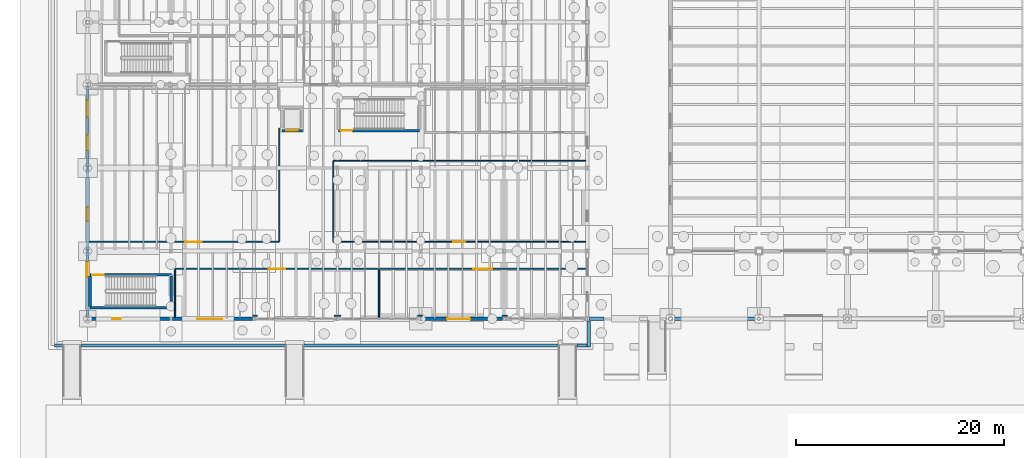
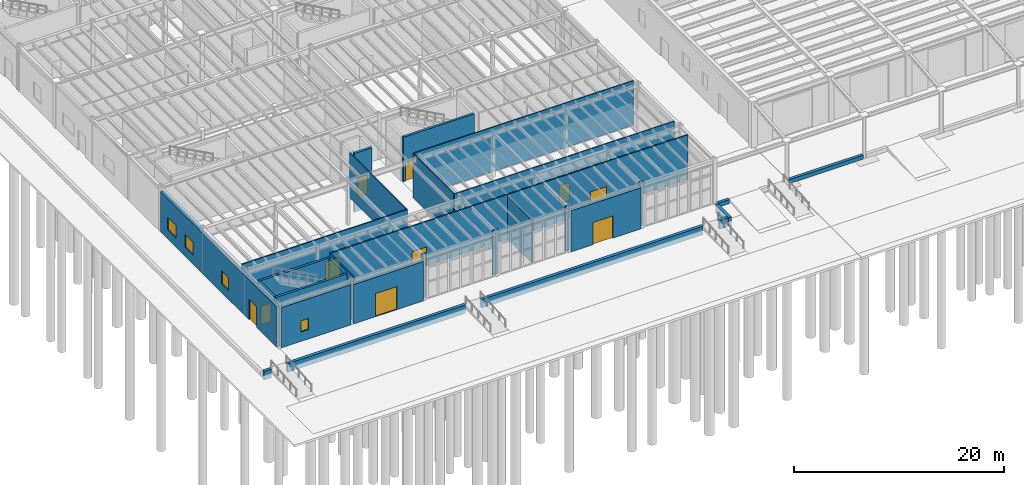
# One storey, part 58 of 86: 31 walls, 10 doors, 4 windows, 14 openings.
"""IFC4 building model written with IfcOpenShell, lengths in metres."""

from ifc_helpers import new_model, si_unit, direction, frame, frame_2d, origin, place, context, subcontext, project, spatial, rectangle, extrude, material, layer, layer_set, type_object, element, fill, save


model = new_model("IFC4")

# Units and contexts
model_context = context("Model", 3, precision=1e-05, world=origin(), true_north=direction((0.0, 1.0)))
body_context = subcontext(model_context, "Body", "Model", "MODEL_VIEW")
ifc_project = project(units=[si_unit("LENGTHUNIT", "METRE"), si_unit("AREAUNIT", "SQUARE_METRE"), si_unit("VOLUMEUNIT", "CUBIC_METRE"), si_unit("PLANEANGLEUNIT", "RADIAN"), si_unit("MASSUNIT", "GRAM", prefix="KILO"), si_unit("THERMODYNAMICTEMPERATUREUNIT", "KELVIN"), si_unit("POWERUNIT", "WATT")], contexts=[model_context])

# Site, building, storey
site_placement = place(None, origin())
site = spatial("IfcSite", under=ifc_project, at=site_placement, CompositionType="ELEMENT")
building_placement = place(site_placement, origin())
building = spatial("IfcBuilding", under=site, at=building_placement, Name="Zhenchuan Central Fire Station", CompositionType="ELEMENT")
storey_placement = place(building_placement, frame((0.0, 0.0, 0.449951171875)))
storey = spatial("IfcBuildingStorey", under=building, at=storey_placement, Name="L01", CompositionType="ELEMENT", Elevation=0.449951171875)

# Wall, opening, window
ifc_material_1 = material(Name="Sintered clay brick masonry MU15", Category="masonry")
ifc_layer_1 = layer(ifc_material_1, 0.300048828125, Name="Sintered clay brick masonry MU15", Category="masonry")
ifc_layer_set_1 = layer_set([ifc_layer_1], Name="Sintered clay brick masonry MU15")
wall_type_1 = type_object("IfcWallType", Name="EW-BRK300", PredefinedType="SOLIDWALL", material=ifc_layer_set_1)
wall_1_placement = place(storey_placement, frame((0.175048828125, 0.0, 0.0), z_axis=(0.0, 0.0, 1.0), x_axis=(1.0, 0.0, 0.0)))
wall_1 = element("IfcWall", 1, at=wall_1_placement, inside=storey, type_object=wall_type_1, Name="Gallery South-West Brick Wall", PredefinedType="SOLIDWALL", context=body_context, shape_type="SweptSolid", body=[
    extrude(rectangle(XDim=7.675048828125, YDim=0.300048828125, at=frame_2d((3.83740234375, 0.0))), origin(), (0.0, 0.0, 1.0), 4.694091796875),
])
opening_1_placement = place(wall_1_placement, frame((2.199951171875, 0.0, 1.10009765625)))
opening_1 = element("IfcOpeningElement", 2, at=opening_1_placement, cuts=wall_1, Name="Opening W-39", PredefinedType="OPENING", context=body_context, shape_type="SweptSolid", body=[
    extrude(rectangle(XDim=0.800048828125, YDim=1.300048828125, at=frame_2d((0.39990234375, 0.64990234375))), frame((0.0, 0.159912109375, 0.0), z_axis=(0.0, -1.0, 0.0), x_axis=(1.0, 0.0, 0.0)), (0.0, 0.0, 1.0), 0.320068359375),
])
ifc_material_2 = material(Name="Laminated low-E double glazing in aluminium frame", Category="aluminium")
window_type_1 = type_object("IfcWindowType", Name="WN-39", PartitioningType="SINGLE_PANEL", PredefinedType="WINDOW", material=ifc_material_2)
window_1_placement = place(opening_1_placement, origin())
window_1 = element("IfcWindow", 3, at=window_1_placement, inside=storey, type_object=window_type_1, Name="Exterior Window 0034", OverallHeight=1.300048828125, OverallWidth=0.800048828125, PartitioningType="SINGLE_PANEL", PredefinedType="WINDOW", context=body_context, shape_type="SweptSolid", body=[
    extrude(rectangle(XDim=0.800048828125, YDim=1.300048828125, at=frame_2d((0.39990234375, 0.64990234375))), frame((0.0, 0.030029296875, 0.0), z_axis=(0.0, -1.0, 0.0), x_axis=(1.0, 0.0, 0.0)), (0.0, 0.0, 1.0), 0.06005859375),
])
fill(opening_1, window_1)

# Wall, opening, door
wall_2_placement = place(storey_placement, frame((8.14990234375, 0.0, 0.0), z_axis=(0.0, 0.0, 1.0), x_axis=(1.0, 0.0, 0.0)))
wall_2 = element("IfcWall", 4, at=wall_2_placement, inside=storey, type_object=wall_type_1, Name="EW-L01-V5S-D0", PredefinedType="SOLIDWALL", context=body_context, shape_type="SweptSolid", body=[
    extrude(rectangle(XDim=7.7001953125, YDim=0.300048828125, at=frame_2d((3.85009765625, 0.0))), origin(), (0.0, 0.0, 1.0), 4.593994140625),
])
opening_2_placement = place(wall_2_placement, frame((2.39990234375, 0.0, 0.0)))
opening_2 = element("IfcOpeningElement", 5, at=opening_2_placement, cuts=wall_2, Name="Opening MN-001", PredefinedType="OPENING", context=body_context, shape_type="SweptSolid", body=[
    extrude(rectangle(XDim=2.39990234375, YDim=2.699951171875, at=frame_2d((1.199951171875, 1.35009765625))), frame((0.0, 0.159912109375, 0.0), z_axis=(0.0, -1.0, 0.0), x_axis=(1.0, 0.0, 0.0)), (0.0, 0.0, 1.0), 0.320068359375),
])
ifc_material_3 = material(Name="Thermally broken aluminium main entrance door", Category="aluminium")
door_type_1 = type_object("IfcDoorType", Name="ED-240x270", OperationType="NOTDEFINED", PredefinedType="DOOR", material=ifc_material_3)
door_1_placement = place(opening_2_placement, frame((2.39990234375, 0.0, 0.0), z_axis=(0.0, 0.0, 1.0), x_axis=(-1.0, 0.0, 0.0)))
door_1 = element("IfcDoor", 6, at=door_1_placement, inside=storey, type_object=door_type_1, Name="Public Safety Gallery Main Boulevard Entrance", OperationType="SINGLE_SWING_RIGHT", OverallHeight=2.699951171875, OverallWidth=2.39990234375, PredefinedType="DOOR", context=body_context, shape_type="SweptSolid", body=[
    extrude(rectangle(XDim=2.39990234375, YDim=2.699951171875, at=frame_2d((1.199951171875, 1.35009765625))), frame((0.0, 0.02490234375, 0.0), z_axis=(0.0, -1.0, 0.0), x_axis=(1.0, 0.0, 0.0)), (0.0, 0.0, 1.0), 0.050048828125),
])
fill(opening_2, door_1)

wall_3_placement = place(storey_placement, frame((32.14990234375, 0.0, 0.0), z_axis=(0.0, 0.0, 1.0), x_axis=(1.0, 0.0, 0.0)))
wall_3 = element("IfcWall", 7, at=wall_3_placement, inside=storey, type_object=wall_type_1, Name="EW-L01-V5S-D3", PredefinedType="SOLIDWALL", context=body_context, shape_type="SweptSolid", body=[
    extrude(rectangle(XDim=7.7001953125, YDim=0.300048828125, at=frame_2d((3.85009765625, 0.0))), origin(), (0.0, 0.0, 1.0), 4.7939453125),
])
opening_3_placement = place(wall_3_placement, frame((2.39990234375, 0.0, 0.0)))
opening_3 = element("IfcOpeningElement", 8, at=opening_3_placement, cuts=wall_3, Name="Opening MN-002", PredefinedType="OPENING", context=body_context, shape_type="SweptSolid", body=[
    extrude(rectangle(XDim=2.199951171875, YDim=2.60009765625, at=frame_2d((1.10009765625, 1.300048828125))), frame((0.0, 0.159912109375, 0.0), z_axis=(0.0, -1.0, 0.0), x_axis=(1.0, 0.0, 0.0)), (0.0, 0.0, 1.0), 0.320068359375),
])
ifc_material_4 = material(Name="Thermally broken aluminium foyer entrance door", Category="aluminium")
door_type_2 = type_object("IfcDoorType", Name="ED-220x260", OperationType="NOTDEFINED", PredefinedType="DOOR", material=ifc_material_4)
door_2_placement = place(opening_3_placement, frame((2.199951171875, 0.0, 0.0), z_axis=(0.0, 0.0, 1.0), x_axis=(-1.0, 0.0, 0.0)))
door_2 = element("IfcDoor", 9, at=door_2_placement, inside=storey, type_object=door_type_2, Name="Public Safety Gallery Main Boulevard Entrance", OperationType="SINGLE_SWING_LEFT", OverallHeight=2.60009765625, OverallWidth=2.199951171875, PredefinedType="DOOR", context=body_context, shape_type="SweptSolid", body=[
    extrude(rectangle(XDim=2.199951171875, YDim=2.60009765625, at=frame_2d((1.10009765625, 1.300048828125))), frame((0.0, 0.02490234375, 0.0), z_axis=(0.0, -1.0, 0.0), x_axis=(1.0, 0.0, 0.0)), (0.0, 0.0, 1.0), 0.050048828125),
])
fill(opening_3, door_2)

# Wall, openings, door, windows
wall_4_placement = place(storey_placement, frame((0.0, 0.175048828125, 0.0), z_axis=(0.0, 0.0, 1.0), x_axis=(0.0, 1.0, 0.0)))
wall_4 = element("IfcWall", 10, at=wall_4_placement, inside=storey, type_object=wall_type_1, Name="EW-L01-V5W", PredefinedType="SOLIDWALL", context=body_context, shape_type="SweptSolid", body=[
    extrude(rectangle(XDim=22.14990234375, YDim=0.300048828125, at=frame_2d((11.074951171875, 0.0))), origin(), (0.0, 0.0, 1.0), 4.694091796875),
])
opening_4_placement = place(wall_4_placement, frame((3.800048828125, 0.0, 0.0)))
opening_4 = element("IfcOpeningElement", 11, at=opening_4_placement, cuts=wall_4, Name="Opening EX-006", PredefinedType="OPENING", context=body_context, shape_type="SweptSolid", body=[
    extrude(rectangle(XDim=1.5, YDim=2.39990234375, at=frame_2d((0.75, 1.199951171875))), frame((0.0, 0.159912109375, 0.0), z_axis=(0.0, -1.0, 0.0), x_axis=(1.0, 0.0, 0.0)), (0.0, 0.0, 1.0), 0.320068359375),
])
opening_5_placement = place(wall_4_placement, frame((9.199951171875, 0.0, 1.050048828125)))
opening_5 = element("IfcOpeningElement", 12, at=opening_5_placement, cuts=wall_4, Name="Opening W-15", PredefinedType="OPENING", context=body_context, shape_type="SweptSolid", body=[
    extrude(rectangle(XDim=1.35009765625, YDim=1.5, at=frame_2d((0.675048828125, 0.75))), frame((0.0, 0.159912109375, 0.0), z_axis=(0.0, -1.0, 0.0), x_axis=(1.0, 0.0, 0.0)), (0.0, 0.0, 1.0), 0.320068359375),
])
opening_6_placement = place(wall_4_placement, frame((16.0, 0.0, 1.050048828125)))
opening_6 = element("IfcOpeningElement", 13, at=opening_6_placement, cuts=wall_4, Name="Opening W-16", PredefinedType="OPENING", context=body_context, shape_type="SweptSolid", body=[
    extrude(rectangle(XDim=1.5, YDim=1.5, at=frame_2d((0.75, 0.75))), frame((0.0, 0.159912109375, 0.0), z_axis=(0.0, -1.0, 0.0), x_axis=(1.0, 0.0, 0.0)), (0.0, 0.0, 1.0), 0.320068359375),
])
opening_7_placement = place(wall_4_placement, frame((19.199951171875, 0.0, 1.050048828125)))
opening_7 = element("IfcOpeningElement", 14, at=opening_7_placement, cuts=wall_4, Name="Opening W-17", PredefinedType="OPENING", context=body_context, shape_type="SweptSolid", body=[
    extrude(rectangle(XDim=1.64990234375, YDim=1.5, at=frame_2d((0.824951171875, 0.75))), frame((0.0, 0.159912109375, 0.0), z_axis=(0.0, -1.0, 0.0), x_axis=(1.0, 0.0, 0.0)), (0.0, 0.0, 1.0), 0.320068359375),
])
ifc_material_5 = material(Name="Powder-coated steel fire exit door", Category="steel")
door_type_3 = type_object("IfcDoorType", Name="ED-150x240", OperationType="NOTDEFINED", PredefinedType="DOOR", material=ifc_material_5)
door_3_placement = place(opening_4_placement, origin())
door_3 = element("IfcDoor", 15, at=door_3_placement, inside=storey, type_object=door_type_3, Name="Gallery West Promenade Exit", OperationType="SINGLE_SWING_LEFT", OverallHeight=2.39990234375, OverallWidth=1.5, PredefinedType="DOOR", context=body_context, shape_type="SweptSolid", body=[
    extrude(rectangle(XDim=1.5, YDim=2.39990234375, at=frame_2d((0.75, 1.199951171875))), frame((0.0, 0.02490234375, 0.0), z_axis=(0.0, -1.0, 0.0), x_axis=(1.0, 0.0, 0.0)), (0.0, 0.0, 1.0), 0.050048828125),
])
fill(opening_4, door_3)
window_type_2 = type_object("IfcWindowType", Name="WN-15", PartitioningType="SINGLE_PANEL", PredefinedType="WINDOW", material=ifc_material_2)
window_2_placement = place(opening_5_placement, origin())
window_2 = element("IfcWindow", 16, at=window_2_placement, inside=storey, type_object=window_type_2, Name="Exterior Window 0038", OverallHeight=1.5, OverallWidth=1.35009765625, PartitioningType="SINGLE_PANEL", PredefinedType="WINDOW", context=body_context, shape_type="SweptSolid", body=[
    extrude(rectangle(XDim=1.35009765625, YDim=1.5, at=frame_2d((0.675048828125, 0.75))), frame((0.0, 0.030029296875, 0.0), z_axis=(0.0, -1.0, 0.0), x_axis=(1.0, 0.0, 0.0)), (0.0, 0.0, 1.0), 0.06005859375),
])
fill(opening_5, window_2)
window_type_3 = type_object("IfcWindowType", Name="WN-16", PartitioningType="SINGLE_PANEL", PredefinedType="WINDOW", material=ifc_material_2)
window_3_placement = place(opening_6_placement, origin())
window_3 = element("IfcWindow", 17, at=window_3_placement, inside=storey, type_object=window_type_3, Name="Exterior Window 0039", OverallHeight=1.5, OverallWidth=1.5, PartitioningType="SINGLE_PANEL", PredefinedType="WINDOW", context=body_context, shape_type="SweptSolid", body=[
    extrude(rectangle(XDim=1.5, YDim=1.5, at=frame_2d((0.75, 0.75))), frame((0.0, 0.030029296875, 0.0), z_axis=(0.0, -1.0, 0.0), x_axis=(1.0, 0.0, 0.0)), (0.0, 0.0, 1.0), 0.06005859375),
])
fill(opening_6, window_3)
window_type_4 = type_object("IfcWindowType", Name="WN-17", PartitioningType="SINGLE_PANEL", PredefinedType="WINDOW", material=ifc_material_2)
window_4_placement = place(opening_7_placement, origin())
window_4 = element("IfcWindow", 18, at=window_4_placement, inside=storey, type_object=window_type_4, Name="Exterior Window 0040", OverallHeight=1.5, OverallWidth=1.64990234375, PartitioningType="SINGLE_PANEL", PredefinedType="WINDOW", context=body_context, shape_type="SweptSolid", body=[
    extrude(rectangle(XDim=1.64990234375, YDim=1.5, at=frame_2d((0.824951171875, 0.75))), frame((0.0, 0.030029296875, 0.0), z_axis=(0.0, -1.0, 0.0), x_axis=(1.0, 0.0, 0.0)), (0.0, 0.0, 1.0), 0.06005859375),
])
fill(opening_7, window_4)

# Walls
ifc_material_6 = material(Name="Concrete C35/45", Category="concrete")
ifc_layer_2 = layer(ifc_material_6, 0.320068359375, Name="Concrete C35/45", Category="concrete")
ifc_layer_set_2 = layer_set([ifc_layer_2], Name="Concrete C35/45")
wall_type_2 = type_object("IfcWallType", Name="EW-PLN320", PredefinedType="SOLIDWALL", material=ifc_layer_set_2)
wall_5_placement = place(storey_placement, frame((-3.199951171875, -2.56201171875, -1.0), z_axis=(0.0, 0.0, 1.0), x_axis=(1.0, 0.0, 0.0)))
element("IfcWall", 19, at=wall_5_placement, inside=storey, type_object=wall_type_2, Name="Plinth Perimeter Retaining Stem Wall SW-1", PredefinedType="SOLIDWALL", context=body_context, shape_type="SweptSolid", body=[
    extrude(rectangle(XDim=0.7958984375, YDim=0.320068359375, at=frame_2d((0.39794921875, 0.0))), origin(), (0.0, 0.0, 1.0), 1.0),
])
wall_6_placement = place(storey_placement, frame((-0.595947265625, -2.56201171875, -1.0), z_axis=(0.0, 0.0, 1.0), x_axis=(1.0, 0.0, 0.0)))
element("IfcWall", 20, at=wall_6_placement, inside=storey, type_object=wall_type_2, Name="Plinth Perimeter Retaining Stem Wall SW-2", PredefinedType="SOLIDWALL", context=body_context, shape_type="SweptSolid", body=[
    extrude(rectangle(XDim=19.592041015625, YDim=0.320068359375, at=frame_2d((9.7958984375, 0.0))), origin(), (0.0, 0.0, 1.0), 1.0),
])
wall_7_placement = place(storey_placement, frame((20.803955078125, -2.56201171875, -1.0), z_axis=(0.0, 0.0, 1.0), x_axis=(1.0, 0.0, 0.0)))
element("IfcWall", 21, at=wall_7_placement, inside=storey, type_object=wall_type_2, Name="Plinth Perimeter Retaining Stem Wall SW-3", PredefinedType="SOLIDWALL", context=body_context, shape_type="SweptSolid", body=[
    extrude(rectangle(XDim=24.39208984375, YDim=0.320068359375, at=frame_2d((12.196044921875, 0.0))), origin(), (0.0, 0.0, 1.0), 1.0),
])
wall_8_placement = place(storey_placement, frame((47.00390625, -2.56201171875, -1.0), z_axis=(0.0, 0.0, 1.0), x_axis=(1.0, 0.0, 0.0)))
element("IfcWall", 22, at=wall_8_placement, inside=storey, type_object=wall_type_2, Name="Plinth Perimeter Retaining Stem Wall SW-4", PredefinedType="SOLIDWALL", context=body_context, shape_type="SweptSolid", body=[
    extrude(rectangle(XDim=0.99609375, YDim=0.320068359375, at=frame_2d((0.498046875, 0.0))), origin(), (0.0, 0.0, 1.0), 1.0),
])
wall_9_placement = place(storey_placement, frame((48.162109375, -2.721923828125, -1.0), z_axis=(0.0, 0.0, 1.0), x_axis=(0.0, 1.0, 0.0)))
element("IfcWall", 23, at=wall_9_placement, inside=storey, type_object=wall_type_2, Name="Plinth Perimeter Retaining Stem Wall SW-RET", PredefinedType="SOLIDWALL", context=body_context, shape_type="SweptSolid", body=[
    extrude(rectangle(XDim=2.501953125, YDim=0.320068359375, at=frame_2d((1.2509765625, 0.0))), origin(), (0.0, 0.0, 1.0), 1.0),
])
wall_10_placement = place(storey_placement, frame((48.179931640625, 0.0, -0.449951171875), z_axis=(0.0, 0.0, 1.0), x_axis=(1.0, 0.0, 0.0)))
element("IfcWall", 24, at=wall_10_placement, inside=storey, type_object=wall_type_2, Name="Plinth Perimeter Retaining Stem Wall FC-01", PredefinedType="SOLIDWALL", context=body_context, shape_type="SweptSolid", body=[
    extrude(rectangle(XDim=1.416015625, YDim=0.320068359375, at=frame_2d((0.7080078125, 0.0))), origin(), (0.0, 0.0, 1.0), 0.449951171875),
])
wall_11_placement = place(storey_placement, frame((56.2099609375, 0.0, -0.449951171875), z_axis=(0.0, 0.0, 1.0), x_axis=(1.0, 0.0, 0.0)))
element("IfcWall", 25, at=wall_11_placement, inside=storey, type_object=wall_type_2, Name="Plinth Perimeter Retaining Stem Wall FC-03", PredefinedType="SOLIDWALL", context=body_context, shape_type="SweptSolid", body=[
    extrude(rectangle(XDim=8.1240234375, YDim=0.320068359375, at=frame_2d((4.06201171875, 0.0))), origin(), (0.0, 0.0, 1.0), 0.449951171875),
])

# Wall, opening, door
ifc_material_7 = material(Name="Gypsum plasterboard on steel studs", Category="gypsum")
ifc_layer_3 = layer(ifc_material_7, 0.10009765625, Name="Gypsum plasterboard on steel studs", Category="gypsum")
ifc_layer_set_3 = layer_set([ifc_layer_3], Name="Gypsum plasterboard on steel studs")
wall_type_3 = type_object("IfcWallType", Name="IW-GYP100", PredefinedType="PARTITIONING", material=ifc_layer_set_3)
wall_12_placement = place(storey_placement, frame((23.60009765625, 7.39990234375, 0.0), z_axis=(0.0, 0.0, 1.0), x_axis=(1.0, 0.0, 0.0)))
wall_12 = element("IfcWall", 26, at=wall_12_placement, inside=storey, type_object=wall_type_3, Name="Public Safety Seminar Classroom S Partition", PredefinedType="PARTITIONING", context=body_context, shape_type="SweptSolid", body=[
    extrude(rectangle(XDim=24.246826171875, YDim=0.10009765625, at=frame_2d((12.12353515625, 0.0))), origin(), (0.0, 0.0, 1.0), 5.199951171875),
])
opening_8_placement = place(wall_12_placement, frame((11.548583984375, 0.0, 0.0)))
opening_8 = element("IfcOpeningElement", 27, at=opening_8_placement, cuts=wall_12, Name="Opening D-069", PredefinedType="OPENING", context=body_context, shape_type="SweptSolid", body=[
    extrude(rectangle(XDim=1.14990234375, YDim=2.10009765625, at=frame_2d((0.574951171875, 1.050048828125))), frame((0.0, 0.06005859375, 0.0), z_axis=(0.0, -1.0, 0.0), x_axis=(1.0, 0.0, 0.0)), (0.0, 0.0, 1.0), 0.1201171875),
])
ifc_material_8 = material(Name="Glazed vision-panel classroom door")
door_type_4 = type_object("IfcDoorType", Name="ID-CLS-115x210", OperationType="NOTDEFINED", PredefinedType="DOOR", material=ifc_material_8)
door_4_placement = place(opening_8_placement, origin())
door_4 = element("IfcDoor", 28, at=door_4_placement, inside=storey, type_object=door_type_4, Name="Public Safety Seminar Classroom Door", OperationType="SINGLE_SWING_LEFT", OverallHeight=2.10009765625, OverallWidth=1.14990234375, PredefinedType="DOOR", context=body_context, shape_type="SweptSolid", body=[
    extrude(rectangle(XDim=1.14990234375, YDim=2.10009765625, at=frame_2d((0.574951171875, 1.050048828125))), frame((0.0, 0.02490234375, 0.0), z_axis=(0.0, -1.0, 0.0), x_axis=(1.0, 0.0, 0.0)), (0.0, 0.0, 1.0), 0.050048828125),
])
fill(opening_8, door_4)

# Walls
wall_13_placement = place(storey_placement, frame((23.60009765625, 15.199951171875, 0.0), z_axis=(0.0, 0.0, 1.0), x_axis=(1.0, 0.0, 0.0)))
element("IfcWall", 29, at=wall_13_placement, inside=storey, type_object=wall_type_3, Name="Public Safety Seminar Classroom N Partition", PredefinedType="PARTITIONING", context=body_context, shape_type="SweptSolid", body=[
    extrude(rectangle(XDim=24.246826171875, YDim=0.10009765625, at=frame_2d((12.12353515625, 0.0))), origin(), (0.0, 0.0, 1.0), 5.199951171875),
])
wall_14_placement = place(storey_placement, frame((23.60009765625, 7.452880859375, 0.0), z_axis=(0.0, 0.0, 1.0), x_axis=(0.0, 1.0, 0.0)))
element("IfcWall", 30, at=wall_14_placement, inside=storey, type_object=wall_type_3, Name="Public Safety Seminar Classroom W Partition", PredefinedType="PARTITIONING", context=body_context, shape_type="SweptSolid", body=[
    extrude(rectangle(XDim=7.694091796875, YDim=0.10009765625, at=frame_2d((3.84716796875, 0.0))), origin(), (0.0, 0.0, 1.0), 5.199951171875),
])
ifc_layer_4 = layer(ifc_material_7, 0.1201171875, Name="Gypsum plasterboard on steel studs", Category="gypsum")
ifc_layer_set_4 = layer_set([ifc_layer_4], Name="Gypsum plasterboard on steel studs")
wall_type_4 = type_object("IfcWallType", Name="IW-GYP120", PredefinedType="PARTITIONING", material=ifc_layer_set_4)
wall_15_placement = place(storey_placement, frame((15.85302734375, 0.300048828125, 0.0), z_axis=(0.0, 0.0, 1.0), x_axis=(1.0, 0.0, 0.0)))
element("IfcWall", 31, at=wall_15_placement, inside=storey, type_object=wall_type_4, Name="Public Fire-Safety Exhibition Gallery S Partition 1", PredefinedType="PARTITIONING", context=body_context, shape_type="SweptSolid", body=[
    extrude(rectangle(XDim=0.444091796875, YDim=0.1201171875, at=frame_2d((0.22216796875, 0.0))), origin(), (0.0, 0.0, 1.0), 5.199951171875),
])
wall_16_placement = place(storey_placement, frame((23.702880859375, 0.300048828125, 0.0), z_axis=(0.0, 0.0, 1.0), x_axis=(1.0, 0.0, 0.0)))
element("IfcWall", 32, at=wall_16_placement, inside=storey, type_object=wall_type_4, Name="Public Fire-Safety Exhibition Gallery S Partition 2", PredefinedType="PARTITIONING", context=body_context, shape_type="SweptSolid", body=[
    extrude(rectangle(XDim=0.59423828125, YDim=0.1201171875, at=frame_2d((0.297119140625, 0.0))), origin(), (0.0, 0.0, 1.0), 5.199951171875),
])

# Wall, opening, door
wall_17_placement = place(storey_placement, frame((8.39990234375, 4.800048828125, 0.0), z_axis=(0.0, 0.0, 1.0), x_axis=(1.0, 0.0, 0.0)))
wall_17 = element("IfcWall", 33, at=wall_17_placement, inside=storey, type_object=wall_type_4, Name="Public Fire-Safety Exhibition Gallery N Partition", PredefinedType="PARTITIONING", context=body_context, shape_type="SweptSolid", body=[
    extrude(rectangle(XDim=19.60009765625, YDim=0.1201171875, at=frame_2d((9.800048828125, 0.0))), origin(), (0.0, 0.0, 1.0), 5.199951171875),
])
opening_9_placement = place(wall_17_placement, frame((9.0, 0.0, 0.0)))
opening_9 = element("IfcOpeningElement", 34, at=opening_9_placement, cuts=wall_17, Name="Opening D-066", PredefinedType="OPENING", context=body_context, shape_type="SweptSolid", body=[
    extrude(rectangle(XDim=1.60009765625, YDim=2.199951171875, at=frame_2d((0.800048828125, 1.10009765625))), frame((0.0, 0.070068359375, 0.0), z_axis=(0.0, -1.0, 0.0), x_axis=(1.0, 0.0, 0.0)), (0.0, 0.0, 1.0), 0.14013671875),
])
ifc_material_9 = material(Name="Glazed timber double corridor fire door", Category="wood")
door_type_5 = type_object("IfcDoorType", Name="ID-COR-160x220", OperationType="NOTDEFINED", PredefinedType="DOOR", material=ifc_material_9)
door_5_placement = place(opening_9_placement, origin())
door_5 = element("IfcDoor", 35, at=door_5_placement, inside=storey, type_object=door_type_5, Name="Public Fire-Safety Exhibition Gallery Door", OperationType="SINGLE_SWING_RIGHT", OverallHeight=2.199951171875, OverallWidth=1.60009765625, PredefinedType="DOOR", context=body_context, shape_type="SweptSolid", body=[
    extrude(rectangle(XDim=1.60009765625, YDim=2.199951171875, at=frame_2d((0.800048828125, 1.10009765625))), frame((0.0, 0.02490234375, 0.0), z_axis=(0.0, -1.0, 0.0), x_axis=(1.0, 0.0, 0.0)), (0.0, 0.0, 1.0), 0.050048828125),
])
fill(opening_9, door_5)

# Walls
wall_18_placement = place(storey_placement, frame((8.39990234375, 0.153076171875, 0.0), z_axis=(0.0, 0.0, 1.0), x_axis=(0.0, 1.0, 0.0)))
element("IfcWall", 36, at=wall_18_placement, inside=storey, type_object=wall_type_4, Name="Public Fire-Safety Exhibition Gallery W Partition", PredefinedType="PARTITIONING", context=body_context, shape_type="SweptSolid", body=[
    extrude(rectangle(XDim=4.583984375, YDim=0.1201171875, at=frame_2d((2.2919921875, 0.0))), origin(), (0.0, 0.0, 1.0), 5.199951171875),
])
wall_19_placement = place(storey_placement, frame((28.0, 0.0830078125, 0.0), z_axis=(0.0, 0.0, 1.0), x_axis=(0.0, 1.0, 0.0)))
element("IfcWall", 37, at=wall_19_placement, inside=storey, type_object=wall_type_4, Name="Public Fire-Safety Exhibition Gallery E Partition", PredefinedType="PARTITIONING", context=body_context, shape_type="SweptSolid", body=[
    extrude(rectangle(XDim=4.654052734375, YDim=0.1201171875, at=frame_2d((2.3271484375, 0.0))), origin(), (0.0, 0.0, 1.0), 4.994140625),
])
for number, where, z_axis, x_axis, name in (
    (38, (31.702880859375, 0.300048828125, 0.0), (0.0, 0.0, 1.0), (1.0, 0.0, 0.0), "Community Safety Cafe S Partition 1"),
    (39, (39.85302734375, 0.300048828125, 0.0), (0.0, 0.0, 1.0), (1.0, 0.0, 0.0), "Community Safety Cafe S Partition 2"),
):
    element("IfcWall", number, at=place(storey_placement, frame(where, z_axis=z_axis, x_axis=x_axis)), inside=storey, type_object=wall_type_4, Name=name, PredefinedType="PARTITIONING", context=body_context, shape_type="SweptSolid", body=[
        extrude(rectangle(XDim=0.444091796875, YDim=0.1201171875, at=frame_2d((0.22216796875, 0.0))), origin(), (0.0, 0.0, 1.0), 5.199951171875),
    ])

# Wall, opening, door
wall_20_placement = place(storey_placement, frame((28.06298828125, 4.800048828125, 0.0), z_axis=(0.0, 0.0, 1.0), x_axis=(1.0, 0.0, 0.0)))
wall_20 = element("IfcWall", 40, at=wall_20_placement, inside=storey, type_object=wall_type_4, Name="Community Safety Cafe N Partition", PredefinedType="PARTITIONING", context=body_context, shape_type="SweptSolid", body=[
    extrude(rectangle(XDim=19.783935546875, YDim=0.1201171875, at=frame_2d((9.89208984375, 0.0))), origin(), (0.0, 0.0, 1.0), 5.199951171875),
])
opening_10_placement = place(wall_20_placement, frame((8.991943359375, 0.0, 0.0)))
opening_10 = element("IfcOpeningElement", 41, at=opening_10_placement, cuts=wall_20, Name="Opening D-067", PredefinedType="OPENING", context=body_context, shape_type="SweptSolid", body=[
    extrude(rectangle(XDim=1.800048828125, YDim=2.300048828125, at=frame_2d((0.89990234375, 1.14990234375))), frame((0.0, 0.070068359375, 0.0), z_axis=(0.0, -1.0, 0.0), x_axis=(1.0, 0.0, 0.0)), (0.0, 0.0, 1.0), 0.14013671875),
])
ifc_material_10 = material(Name="Acoustic timber double assembly door", Category="wood")
door_type_6 = type_object("IfcDoorType", Name="ID-LEC-180x230", OperationType="NOTDEFINED", PredefinedType="DOOR", material=ifc_material_10)
door_6_placement = place(opening_10_placement, origin())
door_6 = element("IfcDoor", 42, at=door_6_placement, inside=storey, type_object=door_type_6, Name="Community Safety Cafe Door", OperationType="SINGLE_SWING_LEFT", OverallHeight=2.300048828125, OverallWidth=1.800048828125, PredefinedType="DOOR", context=body_context, shape_type="SweptSolid", body=[
    extrude(rectangle(XDim=1.800048828125, YDim=2.300048828125, at=frame_2d((0.89990234375, 1.14990234375))), frame((0.0, 0.02490234375, 0.0), z_axis=(0.0, -1.0, 0.0), x_axis=(1.0, 0.0, 0.0)), (0.0, 0.0, 1.0), 0.050048828125),
])
fill(opening_10, door_6)

wall_21_placement = place(storey_placement, frame((0.153076171875, 7.39990234375, 0.0), z_axis=(0.0, 0.0, 1.0), x_axis=(1.0, 0.0, 0.0)))
wall_21 = element("IfcWall", 43, at=wall_21_placement, inside=storey, type_object=wall_type_4, Name="Raked Lecture Theatre S Partition", PredefinedType="PARTITIONING", context=body_context, shape_type="SweptSolid", body=[
    extrude(rectangle(XDim=18.246826171875, YDim=0.1201171875, at=frame_2d((9.12353515625, 0.0))), origin(), (0.0, 0.0, 1.0), 5.199951171875),
])
opening_11_placement = place(wall_21_placement, frame((9.223388671875, 0.0, 0.0)))
opening_11 = element("IfcOpeningElement", 44, at=opening_11_placement, cuts=wall_21, Name="Opening D-068", PredefinedType="OPENING", context=body_context, shape_type="SweptSolid", body=[
    extrude(rectangle(XDim=1.60009765625, YDim=2.199951171875, at=frame_2d((0.800048828125, 1.10009765625))), frame((0.0, 0.070068359375, 0.0), z_axis=(0.0, -1.0, 0.0), x_axis=(1.0, 0.0, 0.0)), (0.0, 0.0, 1.0), 0.14013671875),
])
door_7_placement = place(opening_11_placement, origin())
door_7 = element("IfcDoor", 45, at=door_7_placement, inside=storey, type_object=door_type_5, Name="Raked Lecture Theatre Door", OperationType="SINGLE_SWING_RIGHT", OverallHeight=2.199951171875, OverallWidth=1.60009765625, PredefinedType="DOOR", context=body_context, shape_type="SweptSolid", body=[
    extrude(rectangle(XDim=1.60009765625, YDim=2.199951171875, at=frame_2d((0.800048828125, 1.10009765625))), frame((0.0, 0.02490234375, 0.0), z_axis=(0.0, -1.0, 0.0), x_axis=(1.0, 0.0, 0.0)), (0.0, 0.0, 1.0), 0.050048828125),
])
fill(opening_11, door_7)

# Walls
wall_22_placement = place(storey_placement, frame((18.39990234375, 7.462890625, 0.0), z_axis=(0.0, 0.0, 1.0), x_axis=(0.0, 1.0, 0.0)))
element("IfcWall", 46, at=wall_22_placement, inside=storey, type_object=wall_type_4, Name="Raked Lecture Theatre E Partition 1", PredefinedType="PARTITIONING", context=body_context, shape_type="SweptSolid", body=[
    extrude(rectangle(XDim=10.859130859375, YDim=0.1201171875, at=frame_2d((5.4296875, 0.0))), origin(), (0.0, 0.0, 1.0), 5.199951171875),
])
ifc_material_11 = material(Name="Concrete C40/50", Category="concrete")
ifc_layer_5 = layer(ifc_material_11, 0.25, Name="Concrete C40/50", Category="concrete")
ifc_layer_set_5 = layer_set([ifc_layer_5], Name="Concrete C40/50")
wall_type_5 = type_object("IfcWallType", Name="IW-SHR250", PredefinedType="SHEAR", material=ifc_layer_set_5)
wall_23_placement = place(storey_placement, frame((0.22509765625, 1.074951171875, 0.0), z_axis=(0.0, 0.0, 1.0), x_axis=(1.0, 0.0, 0.0)))
element("IfcWall", 47, at=wall_23_placement, inside=storey, type_object=wall_type_5, Name="ST-01 L01 South Core Wall", PredefinedType="SHEAR", context=body_context, shape_type="SweptSolid", body=[
    extrude(rectangle(XDim=7.809814453125, YDim=0.25, at=frame_2d((3.90478515625, 0.0))), origin(), (0.0, 0.0, 1.0), 5.199951171875),
])

# Wall, opening, door
wall_24_placement = place(storey_placement, frame((0.22509765625, 4.22509765625, 0.0), z_axis=(0.0, 0.0, 1.0), x_axis=(1.0, 0.0, 0.0)))
wall_24 = element("IfcWall", 48, at=wall_24_placement, inside=storey, type_object=wall_type_5, Name="ST-01 L01 North Core Wall", PredefinedType="SHEAR", context=body_context, shape_type="SweptSolid", body=[
    extrude(rectangle(XDim=7.809814453125, YDim=0.25, at=frame_2d((3.90478515625, 0.0))), origin(), (0.0, 0.0, 1.0), 5.199951171875),
])
opening_12_placement = place(wall_24_placement, frame((0.219970703125, 0.0, 0.0)))
opening_12 = element("IfcOpeningElement", 49, at=opening_12_placement, cuts=wall_24, Name="Opening D-001", PredefinedType="OPENING", context=body_context, shape_type="SweptSolid", body=[
    extrude(rectangle(XDim=1.10009765625, YDim=2.14990234375, at=frame_2d((0.550048828125, 1.074951171875))), frame((0.0, 0.135009765625, 0.0), z_axis=(0.0, -1.0, 0.0), x_axis=(1.0, 0.0, 0.0)), (0.0, 0.0, 1.0), 0.27001953125),
])
ifc_material_12 = material(Name="Painted steel acoustic fire door", Category="steel")
door_type_7 = type_object("IfcDoorType", Name="ID-ST-110x215", OperationType="NOTDEFINED", PredefinedType="DOOR", material=ifc_material_12)
door_8_placement = place(opening_12_placement, origin())
door_8 = element("IfcDoor", 50, at=door_8_placement, inside=storey, type_object=door_type_7, Name="ST-01 L01 Fire Door", OperationType="SINGLE_SWING_LEFT", OverallHeight=2.14990234375, OverallWidth=1.10009765625, PredefinedType="DOOR", context=body_context, shape_type="SweptSolid", body=[
    extrude(rectangle(XDim=1.10009765625, YDim=2.14990234375, at=frame_2d((0.550048828125, 1.074951171875))), frame((0.0, 0.02490234375, 0.0), z_axis=(0.0, -1.0, 0.0), x_axis=(1.0, 0.0, 0.0)), (0.0, 0.0, 1.0), 0.050048828125),
])
fill(opening_12, door_8)

# Walls
for number, where, z_axis, x_axis, name in (
    (51, (0.22509765625, 1.199951171875, 0.0), (0.0, 0.0, 1.0), (0.0, 1.0, 0.0), "ST-01 L01 West Core Wall"),
    (52, (8.034912109375, 1.199951171875, 0.0), (0.0, 0.0, 1.0), (0.0, 1.0, 0.0), "ST-01 L01 East Core Wall"),
):
    element("IfcWall", number, at=place(storey_placement, frame(where, z_axis=z_axis, x_axis=x_axis)), inside=storey, type_object=wall_type_5, Name=name, PredefinedType="SHEAR", context=body_context, shape_type="SweptSolid", body=[
        extrude(rectangle(XDim=2.900146484375, YDim=0.25, at=frame_2d((1.4501953125, 0.0))), origin(), (0.0, 0.0, 1.0), 5.199951171875),
    ])

# Wall, opening, door
wall_25_placement = place(storey_placement, frame((24.094970703125, 18.074951171875, 0.0), z_axis=(0.0, 0.0, 1.0), x_axis=(1.0, 0.0, 0.0)))
wall_25 = element("IfcWall", 53, at=wall_25_placement, inside=storey, type_object=wall_type_5, Name="ST-02 L01 South Core Wall", PredefinedType="SHEAR", context=body_context, shape_type="SweptSolid", body=[
    extrude(rectangle(XDim=7.81005859375, YDim=0.25, at=frame_2d((3.905029296875, 0.0))), origin(), (0.0, 0.0, 1.0), 5.199951171875),
])
opening_13_placement = place(wall_25_placement, frame((0.219970703125, 0.0, 0.0)))
opening_13 = element("IfcOpeningElement", 54, at=opening_13_placement, cuts=wall_25, Name="Opening D-003", PredefinedType="OPENING", context=body_context, shape_type="SweptSolid", body=[
    extrude(rectangle(XDim=1.10009765625, YDim=2.14990234375, at=frame_2d((0.550048828125, 1.074951171875))), frame((0.0, 0.135009765625, 0.0), z_axis=(0.0, -1.0, 0.0), x_axis=(1.0, 0.0, 0.0)), (0.0, 0.0, 1.0), 0.27001953125),
])
door_9_placement = place(opening_13_placement, frame((1.10009765625, 0.0, 0.0), z_axis=(0.0, 0.0, 1.0), x_axis=(-1.0, 0.0, 0.0)))
door_9 = element("IfcDoor", 55, at=door_9_placement, inside=storey, type_object=door_type_7, Name="ST-02 L01 Fire Door", OperationType="SINGLE_SWING_LEFT", OverallHeight=2.14990234375, OverallWidth=1.10009765625, PredefinedType="DOOR", context=body_context, shape_type="SweptSolid", body=[
    extrude(rectangle(XDim=1.10009765625, YDim=2.14990234375, at=frame_2d((0.550048828125, 1.074951171875))), frame((0.0, 0.02490234375, 0.0), z_axis=(0.0, -1.0, 0.0), x_axis=(1.0, 0.0, 0.0)), (0.0, 0.0, 1.0), 0.050048828125),
])
fill(opening_13, door_9)

# Wall
wall_26_placement = place(storey_placement, frame((18.675048828125, 18.074951171875, -1.64990234375), z_axis=(0.0, 0.0, 1.0), x_axis=(1.0, 0.0, 0.0)))
element("IfcWall", 56, at=wall_26_placement, inside=storey, type_object=wall_type_5, Name="Lift LP-04 Pit South Wall", PredefinedType="SHEAR", context=body_context, shape_type="SweptSolid", body=[
    extrude(rectangle(XDim=1.949951171875, YDim=0.25, at=frame_2d((0.97509765625, 0.0))), origin(), (0.0, 0.0, 1.0), 1.64990234375),
])

# Wall, opening, door
wall_27_placement = place(storey_placement, frame((18.675048828125, 18.074951171875, 0.0), z_axis=(0.0, 0.0, 1.0), x_axis=(1.0, 0.0, 0.0)))
wall_27 = element("IfcWall", 57, at=wall_27_placement, inside=storey, type_object=wall_type_5, Name="Lift LP-04 L01 South Shaft Wall", PredefinedType="SHEAR", context=body_context, shape_type="SweptSolid", body=[
    extrude(rectangle(XDim=1.949951171875, YDim=0.25, at=frame_2d((0.97509765625, 0.0))), origin(), (0.0, 0.0, 1.0), 5.199951171875),
])
opening_14_placement = place(wall_27_placement, frame((0.425048828125, 0.0, 0.0)))
opening_14 = element("IfcOpeningElement", 58, at=opening_14_placement, cuts=wall_27, Name="Opening LD-018", PredefinedType="OPENING", context=body_context, shape_type="SweptSolid", body=[
    extrude(rectangle(XDim=1.10009765625, YDim=2.14990234375, at=frame_2d((0.550048828125, 1.074951171875))), frame((0.0, 0.135009765625, 0.0), z_axis=(0.0, -1.0, 0.0), x_axis=(1.0, 0.0, 0.0)), (0.0, 0.0, 1.0), 0.27001953125),
])
ifc_material_13 = material(Name="Brushed stainless steel sliding landing door", Category="steel")
door_type_8 = type_object("IfcDoorType", Name="ID-LD-110x215", OperationType="NOTDEFINED", PredefinedType="DOOR", material=ifc_material_13)
door_10_placement = place(opening_14_placement, origin())
door_10 = element("IfcDoor", 59, at=door_10_placement, inside=storey, type_object=door_type_8, Name="Lift LP-04 L01 Sliding Landing Door", OperationType="DOUBLE_DOOR_SLIDING", OverallHeight=2.14990234375, OverallWidth=1.10009765625, PredefinedType="DOOR", context=body_context, shape_type="SweptSolid", body=[
    extrude(rectangle(XDim=1.10009765625, YDim=2.14990234375, at=frame_2d((0.550048828125, 1.074951171875))), frame((0.0, 0.02490234375, 0.0), z_axis=(0.0, -1.0, 0.0), x_axis=(1.0, 0.0, 0.0)), (0.0, 0.0, 1.0), 0.050048828125),
])
fill(opening_14, door_10)

save(model, "model.ifc")
